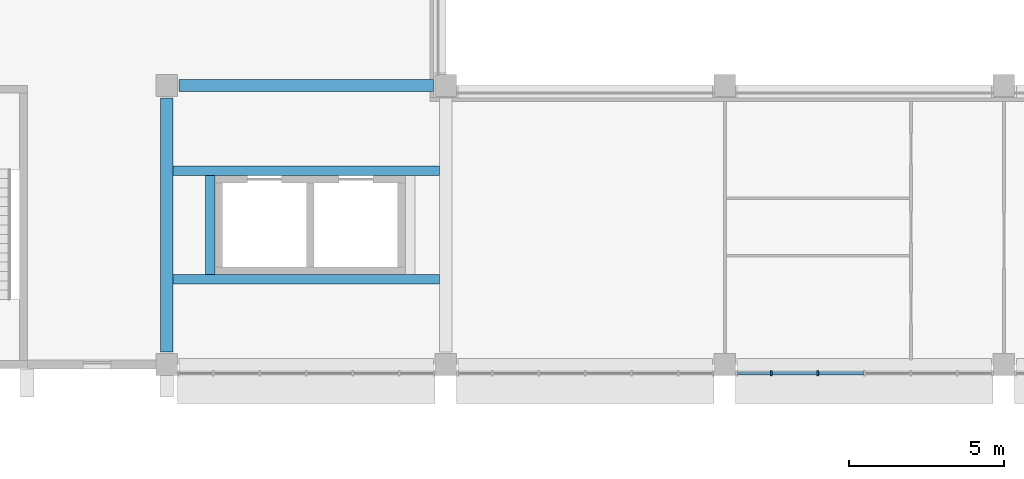
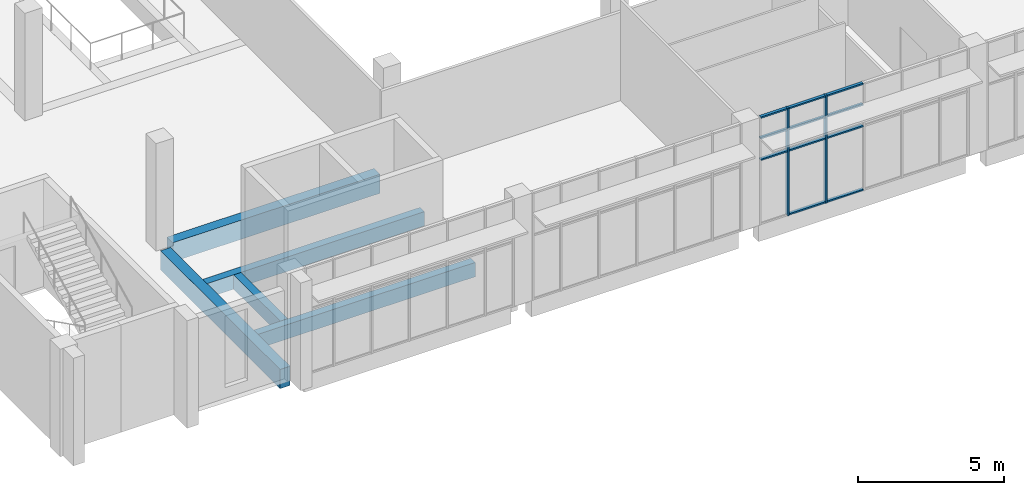
# One storey, part 3 of 45: 13 members, 5 beams, 1 element without a shape of its own.
"""IFC4 building model written with IfcOpenShell, lengths in metres."""

from ifc_helpers import new_model, si_unit, direction, frame, origin, origin_2d, place, context, subcontext, project, spatial, rectangle, extrude, material, layer, layer_set, material_profile, profile_set, type_object, element, aggregate, save


model = new_model("IFC4")

# Units and contexts
model_context = context("Model", 3, precision=1e-05, world=origin(), true_north=direction((0.0, 1.0)))
body_context = subcontext(model_context, "Body", "Model", "MODEL_VIEW")
ifc_project = project(units=[si_unit("LENGTHUNIT", "METRE"), si_unit("AREAUNIT", "SQUARE_METRE"), si_unit("VOLUMEUNIT", "CUBIC_METRE"), si_unit("PLANEANGLEUNIT", "RADIAN"), si_unit("MASSUNIT", "GRAM", prefix="KILO")], contexts=[model_context])

# Site, building, storey
site_placement = place(None, origin())
site = spatial("IfcSite", under=ifc_project, at=site_placement, CompositionType="ELEMENT")
building_placement = place(site_placement, origin())
building = spatial("IfcBuilding", under=site, at=building_placement, Name="Guidao Yard Department Store", CompositionType="ELEMENT")
storey_placement = place(building_placement, frame((0.0, 0.0, 19.5)))
storey = spatial("IfcBuildingStorey", under=building, at=storey_placement, Name="L04", CompositionType="ELEMENT", Elevation=19.5)

# Beams
ifc_material_1 = material(Name="Concrete C40", Category="concrete")
ifc_material_profile_1 = material_profile(ifc_material_1, rectangle(XDim=0.39990234375, YDim=0.800048828125, at=origin_2d()), Name="Edge beam 400 x 800 C40")
ifc_profile_set_1 = profile_set([ifc_material_profile_1], Name="Concrete C40")
beam_type_1 = type_object("IfcBeamType", Name="Edge beam 400 x 800 C40", PredefinedType="BEAM", material=ifc_profile_set_1)
for number, where, z_axis, x_axis, name in (
    (1, (9.39990234375, 54.0, -0.39990234375), (1.0, 0.0, 0.0), (0.0, 1.0, 0.0), "Beam EB31"),
    (2, (9.0, 45.39990234375, -0.39990234375), (0.0, 1.0, 0.0), (-1.0, 0.0, 0.0), "Beam EB32"),
):
    element("IfcBeam", number, at=place(storey_placement, frame(where, z_axis=z_axis, x_axis=x_axis)), inside=storey, type_object=beam_type_1, Name=name, PredefinedType="BEAM", context=body_context, shape_type="SweptSolid", body=[
        extrude(rectangle(XDim=0.39990234375, YDim=0.800048828125, at=origin_2d()), origin(), (0.0, 0.0, 1.0), 8.2001953125),
    ])

# Curtain wall, members
ifc_material_2 = material(Name="Aluminium and glass", Category="aluminium")
ifc_layer = layer(ifc_material_2, 0.159912109375)
ifc_layer_set = layer_set([ifc_layer], Name="Hall front curtain wall CW2 1500 module")
curtain_wall_type = type_object("IfcCurtainWallType", Name="Hall front curtain wall CW2 1500 module", PredefinedType="NOTDEFINED", material=ifc_layer_set)
curtain_wall_placement = place(storey_placement, origin())
curtain_wall = element("IfcCurtainWall", 3, at=curtain_wall_placement, inside=storey, type_object=curtain_wall_type, Name="Hall front curtain wall", PredefinedType="NOTDEFINED")
ifc_material_3 = material(Name="Aluminium 6063-T5", Category="aluminium")
ifc_material_profile_2 = material_profile(ifc_material_3, rectangle(XDim=0.06005859375, YDim=0.159912109375, at=origin_2d()), Name="Mullion M1 60 x 160 aluminium pressure plate")
ifc_profile_set_2 = profile_set([ifc_material_profile_2], Name="Aluminium 6063-T5")
member_type_1 = type_object("IfcMemberType", Name="Mullion M1 60 x 160 aluminium pressure plate", PredefinedType="MULLION", material=ifc_profile_set_2)
member_1_placement = place(storey_placement, frame((28.5, 44.719970703125, 0.0), z_axis=(0.0, 0.0, 1.0), x_axis=(-1.0, 0.0, 0.0)))
member_1 = element("IfcMember", 4, at=member_1_placement, type_object=member_type_1, Name="CW-HF-L04-03 mullion 2", PredefinedType="MULLION", context=body_context, shape_type="SweptSolid", body=[
    extrude(rectangle(XDim=0.06005859375, YDim=0.159912109375, at=origin_2d()), origin(), (0.0, 0.0, 1.0), 4.5),
])
member_2_placement = place(storey_placement, frame((30.0, 44.719970703125, 0.0), z_axis=(0.0, 0.0, 1.0), x_axis=(-1.0, 0.0, 0.0)))
member_2 = element("IfcMember", 5, at=member_2_placement, type_object=member_type_1, Name="CW-HF-L04-03 mullion 3", PredefinedType="MULLION", context=body_context, shape_type="SweptSolid", body=[
    extrude(rectangle(XDim=0.06005859375, YDim=0.159912109375, at=origin_2d()), origin(), (0.0, 0.0, 1.0), 4.5),
])

# Beams
ifc_material_4 = material(Name="Concrete C40", Category="concrete")
ifc_material_profile_3 = material_profile(ifc_material_4, rectangle(XDim=0.300048828125, YDim=0.60009765625, at=origin_2d()), Name="Opening beam 300 x 600 C40")
ifc_profile_set_3 = profile_set([ifc_material_profile_3], Name="Concrete C40")
beam_type_2 = type_object("IfcBeamType", Name="Opening beam 300 x 600 C40", PredefinedType="BEAM", material=ifc_profile_set_3)
for number, where, z_axis, x_axis, name in (
    (6, (9.199951171875, 47.75, -0.300048828125), (1.0, 0.0, 0.0), (0.0, 1.0, 0.0), "Beam OB01"),
    (7, (9.199951171875, 51.25, -0.300048828125), (1.0, 0.0, 0.0), (0.0, 1.0, 0.0), "Beam OB02"),
):
    element("IfcBeam", number, at=place(storey_placement, frame(where, z_axis=z_axis, x_axis=x_axis)), inside=storey, type_object=beam_type_2, Name=name, PredefinedType="BEAM", context=body_context, shape_type="SweptSolid", body=[
        extrude(rectangle(XDim=0.300048828125, YDim=0.60009765625, at=origin_2d()), origin(), (0.0, 0.0, 1.0), 8.60009765625),
    ])
beam_placement = place(storey_placement, frame((10.39990234375, 47.89990234375, -0.300048828125), z_axis=(0.0, 1.0, 0.0), x_axis=(-1.0, 0.0, 0.0)))
element("IfcBeam", 8, at=beam_placement, inside=storey, type_object=beam_type_2, Name="Beam OB03", PredefinedType="BEAM", context=body_context, shape_type="SweptSolid", body=[
    extrude(rectangle(XDim=0.300048828125, YDim=0.60009765625, at=origin_2d()), origin(), (0.0, 0.0, 1.0), 3.2001953125),
])

# Member
ifc_material_5 = material(Name="Aluminium 6063-T5", Category="aluminium")
ifc_material_profile_4 = material_profile(ifc_material_5, rectangle(XDim=0.1201171875, YDim=0.06005859375, at=origin_2d()), Name="Transom T1 60 x 120 aluminium pressure plate")
ifc_profile_set_4 = profile_set([ifc_material_profile_4], Name="Aluminium 6063-T5")
member_type_2 = type_object("IfcMemberType", Name="Transom T1 60 x 120 aluminium pressure plate", PredefinedType="USERDEFINED", material=ifc_profile_set_4)
member_3_placement = place(storey_placement, frame((28.469970703125, 44.719970703125, 2.699951171875), z_axis=(-1.0, 0.0, 0.0), x_axis=(0.0, -1.0, 0.0)))
member_3 = element("IfcMember", 9, at=member_3_placement, type_object=member_type_2, Name="CW-HF-L04-03 transom 1.2", ObjectType="TRANSOM", PredefinedType="USERDEFINED", context=body_context, shape_type="SweptSolid", body=[
    extrude(rectangle(XDim=0.1201171875, YDim=0.06005859375, at=origin_2d()), origin(), (0.0, 0.0, 1.0), 1.06005859375),
])

member_4_placement = place(storey_placement, frame((28.469970703125, 44.719970703125, 3.60009765625), z_axis=(-1.0, 0.0, 0.0), x_axis=(0.0, -1.0, 0.0)))
member_4 = element("IfcMember", 10, at=member_4_placement, type_object=member_type_2, Name="CW-HF-L04-03 transom 1.3", ObjectType="TRANSOM", PredefinedType="USERDEFINED", context=body_context, shape_type="SweptSolid", body=[
    extrude(rectangle(XDim=0.1201171875, YDim=0.06005859375, at=origin_2d()), origin(), (0.0, 0.0, 1.0), 1.06005859375),
])

member_5_placement = place(storey_placement, frame((28.469970703125, 44.719970703125, 4.469970703125), z_axis=(-1.0, 0.0, 0.0), x_axis=(0.0, -1.0, 0.0)))
member_5 = element("IfcMember", 11, at=member_5_placement, type_object=member_type_2, Name="CW-HF-L04-03 transom 1.4", ObjectType="TRANSOM", PredefinedType="USERDEFINED", context=body_context, shape_type="SweptSolid", body=[
    extrude(rectangle(XDim=0.1201171875, YDim=0.06005859375, at=origin_2d()), origin(), (0.0, 0.0, 1.0), 1.06005859375),
])

member_6_placement = place(storey_placement, frame((29.969970703125, 44.719970703125, 0.030029296875), z_axis=(-1.0, 0.0, 0.0), x_axis=(0.0, -1.0, 0.0)))
member_6 = element("IfcMember", 12, at=member_6_placement, type_object=member_type_2, Name="CW-HF-L04-03 transom 2.1", ObjectType="TRANSOM", PredefinedType="USERDEFINED", context=body_context, shape_type="SweptSolid", body=[
    extrude(rectangle(XDim=0.1201171875, YDim=0.06005859375, at=origin_2d()), origin(), (0.0, 0.0, 1.0), 1.43994140625),
])

member_7_placement = place(storey_placement, frame((29.969970703125, 44.719970703125, 2.699951171875), z_axis=(-1.0, 0.0, 0.0), x_axis=(0.0, -1.0, 0.0)))
member_7 = element("IfcMember", 13, at=member_7_placement, type_object=member_type_2, Name="CW-HF-L04-03 transom 2.2", ObjectType="TRANSOM", PredefinedType="USERDEFINED", context=body_context, shape_type="SweptSolid", body=[
    extrude(rectangle(XDim=0.1201171875, YDim=0.06005859375, at=origin_2d()), origin(), (0.0, 0.0, 1.0), 1.43994140625),
])

member_8_placement = place(storey_placement, frame((29.969970703125, 44.719970703125, 3.60009765625), z_axis=(-1.0, 0.0, 0.0), x_axis=(0.0, -1.0, 0.0)))
member_8 = element("IfcMember", 14, at=member_8_placement, type_object=member_type_2, Name="CW-HF-L04-03 transom 2.3", ObjectType="TRANSOM", PredefinedType="USERDEFINED", context=body_context, shape_type="SweptSolid", body=[
    extrude(rectangle(XDim=0.1201171875, YDim=0.06005859375, at=origin_2d()), origin(), (0.0, 0.0, 1.0), 1.43994140625),
])

member_9_placement = place(storey_placement, frame((29.969970703125, 44.719970703125, 4.469970703125), z_axis=(-1.0, 0.0, 0.0), x_axis=(0.0, -1.0, 0.0)))
member_9 = element("IfcMember", 15, at=member_9_placement, type_object=member_type_2, Name="CW-HF-L04-03 transom 2.4", ObjectType="TRANSOM", PredefinedType="USERDEFINED", context=body_context, shape_type="SweptSolid", body=[
    extrude(rectangle(XDim=0.1201171875, YDim=0.06005859375, at=origin_2d()), origin(), (0.0, 0.0, 1.0), 1.43994140625),
])

member_10_placement = place(storey_placement, frame((31.469970703125, 44.719970703125, 0.030029296875), z_axis=(-1.0, 0.0, 0.0), x_axis=(0.0, -1.0, 0.0)))
member_10 = element("IfcMember", 16, at=member_10_placement, type_object=member_type_2, Name="CW-HF-L04-03 transom 3.1", ObjectType="TRANSOM", PredefinedType="USERDEFINED", context=body_context, shape_type="SweptSolid", body=[
    extrude(rectangle(XDim=0.1201171875, YDim=0.06005859375, at=origin_2d()), origin(), (0.0, 0.0, 1.0), 1.43994140625),
])

member_11_placement = place(storey_placement, frame((31.469970703125, 44.719970703125, 2.699951171875), z_axis=(-1.0, 0.0, 0.0), x_axis=(0.0, -1.0, 0.0)))
member_11 = element("IfcMember", 17, at=member_11_placement, type_object=member_type_2, Name="CW-HF-L04-03 transom 3.2", ObjectType="TRANSOM", PredefinedType="USERDEFINED", context=body_context, shape_type="SweptSolid", body=[
    extrude(rectangle(XDim=0.1201171875, YDim=0.06005859375, at=origin_2d()), origin(), (0.0, 0.0, 1.0), 1.43994140625),
])

member_12_placement = place(storey_placement, frame((31.469970703125, 44.719970703125, 3.60009765625), z_axis=(-1.0, 0.0, 0.0), x_axis=(0.0, -1.0, 0.0)))
member_12 = element("IfcMember", 18, at=member_12_placement, type_object=member_type_2, Name="CW-HF-L04-03 transom 3.3", ObjectType="TRANSOM", PredefinedType="USERDEFINED", context=body_context, shape_type="SweptSolid", body=[
    extrude(rectangle(XDim=0.1201171875, YDim=0.06005859375, at=origin_2d()), origin(), (0.0, 0.0, 1.0), 1.43994140625),
])

member_13_placement = place(storey_placement, frame((31.469970703125, 44.719970703125, 4.469970703125), z_axis=(-1.0, 0.0, 0.0), x_axis=(0.0, -1.0, 0.0)))
member_13 = element("IfcMember", 19, at=member_13_placement, type_object=member_type_2, Name="CW-HF-L04-03 transom 3.4", ObjectType="TRANSOM", PredefinedType="USERDEFINED", context=body_context, shape_type="SweptSolid", body=[
    extrude(rectangle(XDim=0.1201171875, YDim=0.06005859375, at=origin_2d()), origin(), (0.0, 0.0, 1.0), 1.43994140625),
])

aggregate(curtain_wall, [member_1, member_2, member_3, member_4, member_5, member_6, member_7, member_8, member_9, member_10, member_11, member_12, member_13])

save(model, "model.ifc")
